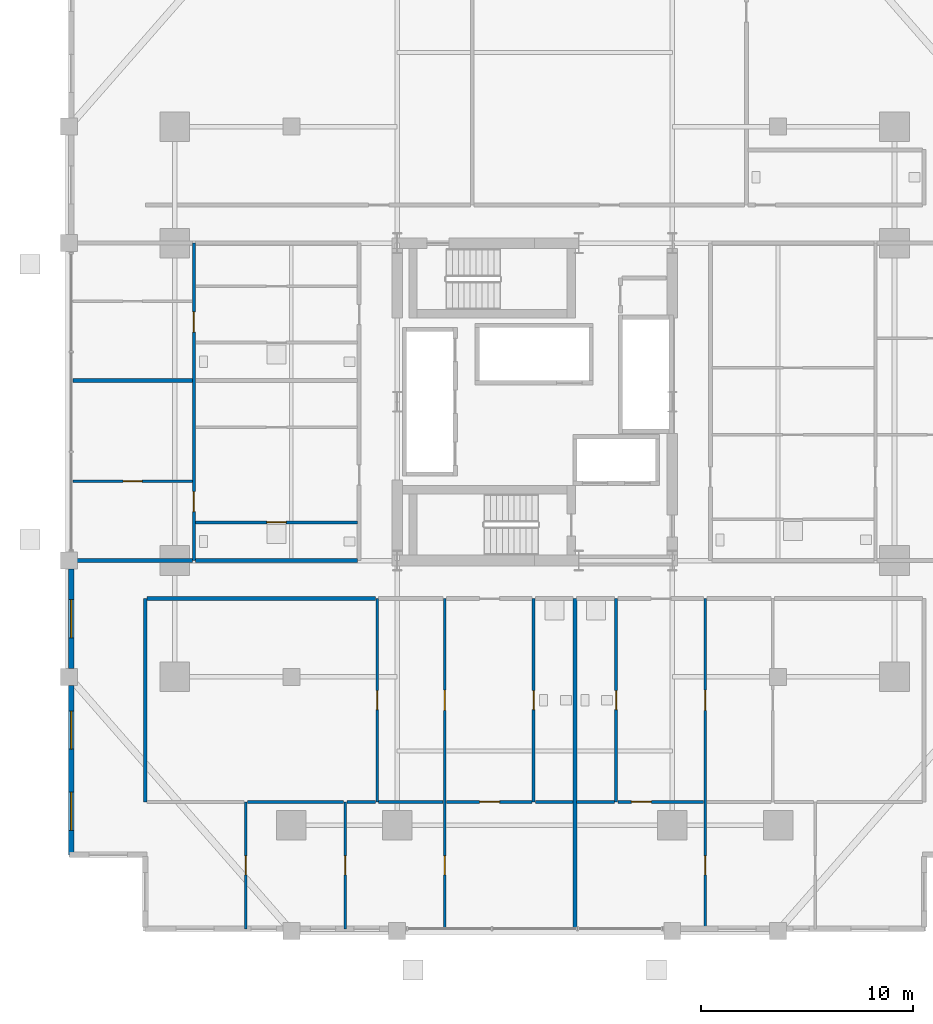
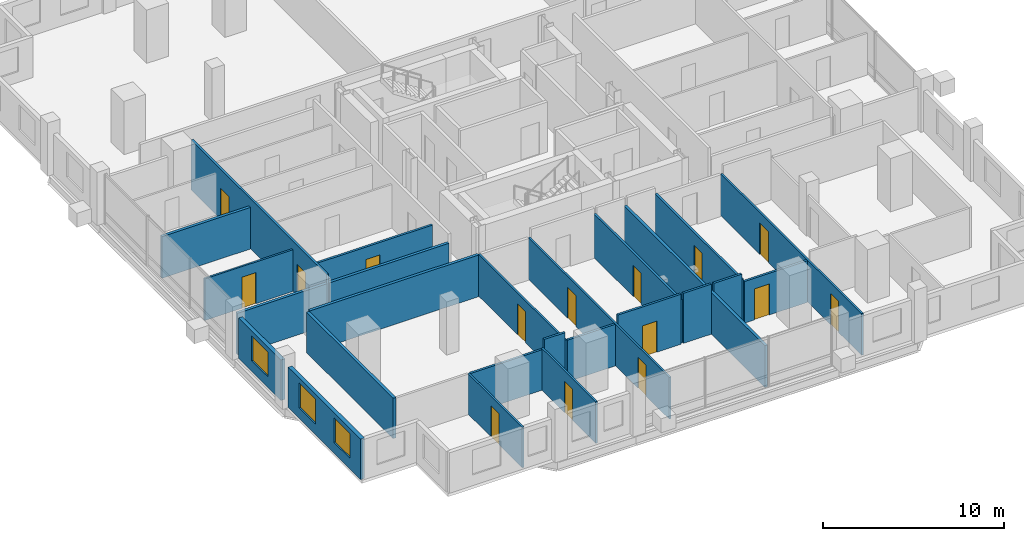
# One storey, part 17 of 23: 25 walls, 15 doors, 3 windows, 18 openings.
"""IFC4 building model written with IfcOpenShell, lengths in metres."""

from ifc_helpers import new_model, si_unit, direction, frame, frame_2d, origin, place, context, subcontext, project, spatial, rectangle, extrude, material, layer, layer_set, type_object, element, fill, save


model = new_model("IFC4")

# Units and contexts
model_context = context("Model", 3, precision=1e-05, world=origin(), true_north=direction((0.0, 1.0)))
body_context = subcontext(model_context, "Body", "Model", "MODEL_VIEW")
ifc_project = project(units=[si_unit("LENGTHUNIT", "METRE"), si_unit("AREAUNIT", "SQUARE_METRE"), si_unit("VOLUMEUNIT", "CUBIC_METRE"), si_unit("PLANEANGLEUNIT", "RADIAN"), si_unit("MASSUNIT", "GRAM", prefix="KILO")], contexts=[model_context])

# Site, building, storey
site_placement = place(None, origin())
site = spatial("IfcSite", under=ifc_project, at=site_placement, CompositionType="ELEMENT")
building_placement = place(site_placement, origin())
building = spatial("IfcBuilding", under=site, at=building_placement, Name="Barlavira Tower and Art Museum", CompositionType="ELEMENT")
storey_placement = place(building_placement, frame((0.0, 0.0, 54.0)))
storey = spatial("IfcBuildingStorey", under=building, at=storey_placement, Name="L12", CompositionType="ELEMENT", Elevation=54.0)

# Wall, opening, door
ifc_material_1 = material(Name="Gypsum acoustic stud partition", Category="gypsum")
ifc_layer_1 = layer(ifc_material_1, 0.1201171875, Name="Gypsum acoustic stud partition")
ifc_layer_set_1 = layer_set([ifc_layer_1], Name="Gypsum acoustic stud partition")
wall_type_1 = type_object("IfcWallType", Name="Apartment Internal Acoustic Partition 120", PredefinedType="PARTITIONING", material=ifc_layer_set_1)
wall_1_placement = place(storey_placement, frame((-13.64990234375, -24.89990234375, 0.0), z_axis=(0.0, 0.0, 1.0), x_axis=(0.0, 1.0, 0.0)))
wall_1 = element("IfcWall", 1, at=wall_1_placement, inside=storey, type_object=wall_type_1, Name="L12 Partition Wall 3", PredefinedType="PARTITIONING", context=body_context, shape_type="SweptSolid", body=[
    extrude(rectangle(XDim=6.0, YDim=0.1201171875, at=frame_2d((3.0, 0.0))), origin(), (0.0, 0.0, 1.0), 2.736083984375),
])
opening_1_placement = place(wall_1_placement, frame((2.550048828125, 0.0, 0.0)))
opening_1 = element("IfcOpeningElement", 2, at=opening_1_placement, cuts=wall_1, Name="Opening D-01", PredefinedType="OPENING", context=body_context, shape_type="SweptSolid", body=[
    extrude(rectangle(XDim=0.89990234375, YDim=2.10009765625, at=frame_2d((0.449951171875, 1.050048828125))), frame((0.0, 0.070068359375, 0.0), z_axis=(0.0, -1.0, 0.0), x_axis=(1.0, 0.0, 0.0)), (0.0, 0.0, 1.0), 0.14013671875),
])
ifc_material_2 = material(Name="Engineered coastal hardwood", Category="wood")
door_type_1 = type_object("IfcDoorType", Name="Internal Bedroom Timber Flush Door 900x2100", OperationType="NOTDEFINED", PredefinedType="DOOR", material=ifc_material_2)
door_1_placement = place(opening_1_placement, origin())
door_1 = element("IfcDoor", 3, at=door_1_placement, inside=storey, type_object=door_type_1, Name="Apartment S1 Bedroom 3 Door", OperationType="SINGLE_SWING_RIGHT", OverallHeight=2.10009765625, OverallWidth=0.89990234375, PredefinedType="DOOR", context=body_context, shape_type="SweptSolid", body=[
    extrude(rectangle(XDim=0.89990234375, YDim=2.10009765625, at=frame_2d((0.449951171875, 1.050048828125))), frame((0.0, 0.02490234375, 0.0), z_axis=(0.0, -1.0, 0.0), x_axis=(1.0, 0.0, 0.0)), (0.0, 0.0, 1.0), 0.050048828125),
])
fill(opening_1, door_1)

wall_2_placement = place(storey_placement, frame((-8.949951171875, -24.89990234375, 0.0), z_axis=(0.0, 0.0, 1.0), x_axis=(0.0, 1.0, 0.0)))
wall_2 = element("IfcWall", 4, at=wall_2_placement, inside=storey, type_object=wall_type_1, Name="L12 Partition Wall 4", PredefinedType="PARTITIONING", context=body_context, shape_type="SweptSolid", body=[
    extrude(rectangle(XDim=6.0, YDim=0.1201171875, at=frame_2d((3.0, 0.0))), origin(), (0.0, 0.0, 1.0), 2.81591796875),
])
opening_2_placement = place(wall_2_placement, frame((2.550048828125, 0.0, 0.0)))
opening_2 = element("IfcOpeningElement", 5, at=opening_2_placement, cuts=wall_2, Name="Opening D-01", PredefinedType="OPENING", context=body_context, shape_type="SweptSolid", body=[
    extrude(rectangle(XDim=0.89990234375, YDim=2.10009765625, at=frame_2d((0.449951171875, 1.050048828125))), frame((0.0, 0.070068359375, 0.0), z_axis=(0.0, -1.0, 0.0), x_axis=(1.0, 0.0, 0.0)), (0.0, 0.0, 1.0), 0.14013671875),
])
door_2_placement = place(opening_2_placement, origin())
door_2 = element("IfcDoor", 6, at=door_2_placement, inside=storey, type_object=door_type_1, Name="Apartment S1 Bedroom 2 Door", OperationType="SINGLE_SWING_LEFT", OverallHeight=2.10009765625, OverallWidth=0.89990234375, PredefinedType="DOOR", context=body_context, shape_type="SweptSolid", body=[
    extrude(rectangle(XDim=0.89990234375, YDim=2.10009765625, at=frame_2d((0.449951171875, 1.050048828125))), frame((0.0, 0.02490234375, 0.0), z_axis=(0.0, -1.0, 0.0), x_axis=(1.0, 0.0, 0.0)), (0.0, 0.0, 1.0), 0.050048828125),
])
fill(opening_2, door_2)

wall_3_placement = place(storey_placement, frame((-7.449951171875, -18.89990234375, 0.0), z_axis=(0.0, 0.0, 1.0), x_axis=(0.0, 1.0, 0.0)))
wall_3 = element("IfcWall", 7, at=wall_3_placement, inside=storey, type_object=wall_type_1, Name="L12 Partition Wall 6", PredefinedType="PARTITIONING", context=body_context, shape_type="SweptSolid", body=[
    extrude(rectangle(XDim=9.599853515625, YDim=0.1201171875, at=frame_2d((4.7998046875, 0.0))), origin(), (0.0, 0.0, 1.0), 2.81591796875),
])
opening_3_placement = place(wall_3_placement, frame((4.35009765625, 0.0, 0.0)))
opening_3 = element("IfcOpeningElement", 8, at=opening_3_placement, cuts=wall_3, Name="Opening D-01", PredefinedType="OPENING", context=body_context, shape_type="SweptSolid", body=[
    extrude(rectangle(XDim=0.89990234375, YDim=2.10009765625, at=frame_2d((0.449951171875, 1.050048828125))), frame((0.0, 0.070068359375, 0.0), z_axis=(0.0, -1.0, 0.0), x_axis=(1.0, 0.0, 0.0)), (0.0, 0.0, 1.0), 0.14013671875),
])
door_3_placement = place(opening_3_placement, origin())
door_3 = element("IfcDoor", 9, at=door_3_placement, inside=storey, type_object=door_type_1, Name="Apartment S1 Walk-In Dressing Room Door", OperationType="SINGLE_SWING_RIGHT", OverallHeight=2.10009765625, OverallWidth=0.89990234375, PredefinedType="DOOR", context=body_context, shape_type="SweptSolid", body=[
    extrude(rectangle(XDim=0.89990234375, YDim=2.10009765625, at=frame_2d((0.449951171875, 1.050048828125))), frame((0.0, 0.02490234375, 0.0), z_axis=(0.0, -1.0, 0.0), x_axis=(1.0, 0.0, 0.0)), (0.0, 0.0, 1.0), 0.050048828125),
])
fill(opening_3, door_3)

# Wall, openings, doors
wall_4_placement = place(storey_placement, frame((-4.25, -24.89990234375, 0.0), z_axis=(0.0, 0.0, 1.0), x_axis=(0.0, 1.0, 0.0)))
wall_4 = element("IfcWall", 10, at=wall_4_placement, inside=storey, type_object=wall_type_1, Name="L12 Partition Wall 7", PredefinedType="PARTITIONING", context=body_context, shape_type="SweptSolid", body=[
    extrude(rectangle(XDim=15.599853515625, YDim=0.1201171875, at=frame_2d((7.7998046875, 0.0))), origin(), (0.0, 0.0, 1.0), 2.81591796875),
])
opening_4_placement = place(wall_4_placement, frame((10.324951171875, 0.0, 0.0)))
opening_4 = element("IfcOpeningElement", 11, at=opening_4_placement, cuts=wall_4, Name="Opening D-02", PredefinedType="OPENING", context=body_context, shape_type="SweptSolid", body=[
    extrude(rectangle(XDim=0.949951171875, YDim=2.10009765625, at=frame_2d((0.47509765625, 1.050048828125))), frame((0.0, 0.070068359375, 0.0), z_axis=(0.0, -1.0, 0.0), x_axis=(1.0, 0.0, 0.0)), (0.0, 0.0, 1.0), 0.14013671875),
])
opening_5_placement = place(wall_4_placement, frame((2.550048828125, 0.0, 0.0)))
opening_5 = element("IfcOpeningElement", 12, at=opening_5_placement, cuts=wall_4, Name="Opening D-01", PredefinedType="OPENING", context=body_context, shape_type="SweptSolid", body=[
    extrude(rectangle(XDim=0.89990234375, YDim=2.10009765625, at=frame_2d((0.449951171875, 1.050048828125))), frame((0.0, 0.070068359375, 0.0), z_axis=(0.0, -1.0, 0.0), x_axis=(1.0, 0.0, 0.0)), (0.0, 0.0, 1.0), 0.14013671875),
])
door_4_placement = place(opening_5_placement, origin())
door_4 = element("IfcDoor", 13, at=door_4_placement, inside=storey, type_object=door_type_1, Name="Apartment S1 Bedroom 1 Door", OperationType="SINGLE_SWING_RIGHT", OverallHeight=2.10009765625, OverallWidth=0.89990234375, PredefinedType="DOOR", context=body_context, shape_type="SweptSolid", body=[
    extrude(rectangle(XDim=0.89990234375, YDim=2.10009765625, at=frame_2d((0.449951171875, 1.050048828125))), frame((0.0, 0.02490234375, 0.0), z_axis=(0.0, -1.0, 0.0), x_axis=(1.0, 0.0, 0.0)), (0.0, 0.0, 1.0), 0.050048828125),
])
fill(opening_5, door_4)
door_type_2 = type_object("IfcDoorType", Name="Living and Salon Glazed-Leaf Door 950x2100", OperationType="NOTDEFINED", PredefinedType="DOOR", material=ifc_material_2)
door_5_placement = place(opening_4_placement, origin())
door_5 = element("IfcDoor", 14, at=door_5_placement, inside=storey, type_object=door_type_2, Name="Apartment S1 Kitchen Door", OperationType="SINGLE_SWING_LEFT", OverallHeight=2.10009765625, OverallWidth=0.949951171875, PredefinedType="DOOR", context=body_context, shape_type="SweptSolid", body=[
    extrude(rectangle(XDim=0.949951171875, YDim=2.10009765625, at=frame_2d((0.47509765625, 1.050048828125))), frame((0.0, 0.02490234375, 0.0), z_axis=(0.0, -1.0, 0.0), x_axis=(1.0, 0.0, 0.0)), (0.0, 0.0, 1.0), 0.050048828125),
])
fill(opening_4, door_5)

wall_5_placement = place(storey_placement, frame((8.050048828125, -24.89990234375, 0.0), z_axis=(0.0, 0.0, 1.0), x_axis=(0.0, 1.0, 0.0)))
wall_5 = element("IfcWall", 15, at=wall_5_placement, inside=storey, type_object=wall_type_1, Name="L12 Partition Wall 13", PredefinedType="PARTITIONING", context=body_context, shape_type="SweptSolid", body=[
    extrude(rectangle(XDim=15.599853515625, YDim=0.1201171875, at=frame_2d((7.7998046875, 0.0))), origin(), (0.0, 0.0, 1.0), 2.81591796875),
])
opening_6_placement = place(wall_5_placement, frame((10.324951171875, 0.0, 0.0)))
opening_6 = element("IfcOpeningElement", 16, at=opening_6_placement, cuts=wall_5, Name="Opening D-02", PredefinedType="OPENING", context=body_context, shape_type="SweptSolid", body=[
    extrude(rectangle(XDim=0.949951171875, YDim=2.10009765625, at=frame_2d((0.47509765625, 1.050048828125))), frame((0.0, 0.070068359375, 0.0), z_axis=(0.0, -1.0, 0.0), x_axis=(1.0, 0.0, 0.0)), (0.0, 0.0, 1.0), 0.14013671875),
])
opening_7_placement = place(wall_5_placement, frame((2.550048828125, 0.0, 0.0)))
opening_7 = element("IfcOpeningElement", 17, at=opening_7_placement, cuts=wall_5, Name="Opening D-01", PredefinedType="OPENING", context=body_context, shape_type="SweptSolid", body=[
    extrude(rectangle(XDim=0.89990234375, YDim=2.10009765625, at=frame_2d((0.449951171875, 1.050048828125))), frame((0.0, 0.070068359375, 0.0), z_axis=(0.0, -1.0, 0.0), x_axis=(1.0, 0.0, 0.0)), (0.0, 0.0, 1.0), 0.14013671875),
])
door_6_placement = place(opening_7_placement, origin())
door_6 = element("IfcDoor", 18, at=door_6_placement, inside=storey, type_object=door_type_1, Name="Apartment S2 Bedroom 1 Door", OperationType="SINGLE_SWING_RIGHT", OverallHeight=2.10009765625, OverallWidth=0.89990234375, PredefinedType="DOOR", context=body_context, shape_type="SweptSolid", body=[
    extrude(rectangle(XDim=0.89990234375, YDim=2.10009765625, at=frame_2d((0.449951171875, 1.050048828125))), frame((0.0, 0.02490234375, 0.0), z_axis=(0.0, -1.0, 0.0), x_axis=(1.0, 0.0, 0.0)), (0.0, 0.0, 1.0), 0.050048828125),
])
fill(opening_7, door_6)
door_7_placement = place(opening_6_placement, origin())
door_7 = element("IfcDoor", 19, at=door_7_placement, inside=storey, type_object=door_type_2, Name="Apartment S2 Kitchen Door", OperationType="SINGLE_SWING_LEFT", OverallHeight=2.10009765625, OverallWidth=0.949951171875, PredefinedType="DOOR", context=body_context, shape_type="SweptSolid", body=[
    extrude(rectangle(XDim=0.949951171875, YDim=2.10009765625, at=frame_2d((0.47509765625, 1.050048828125))), frame((0.0, 0.02490234375, 0.0), z_axis=(0.0, -1.0, 0.0), x_axis=(1.0, 0.0, 0.0)), (0.0, 0.0, 1.0), 0.050048828125),
])
fill(opening_6, door_7)

# Wall, opening, door
wall_6_placement = place(storey_placement, frame((-21.820068359375, -3.75, 0.0), z_axis=(0.0, 0.0, 1.0), x_axis=(1.0, 0.0, 0.0)))
wall_6 = element("IfcWall", 20, at=wall_6_placement, inside=storey, type_object=wall_type_1, Name="L12 Partition Wall 46", PredefinedType="PARTITIONING", context=body_context, shape_type="SweptSolid", body=[
    extrude(rectangle(XDim=5.64013671875, YDim=0.1201171875, at=frame_2d((2.820068359375, 0.0))), origin(), (0.0, 0.0, 1.0), 2.81591796875),
])
opening_8_placement = place(wall_6_placement, frame((2.3701171875, 0.0, 0.0)))
opening_8 = element("IfcOpeningElement", 21, at=opening_8_placement, cuts=wall_6, Name="Opening D-01", PredefinedType="OPENING", context=body_context, shape_type="SweptSolid", body=[
    extrude(rectangle(XDim=0.89990234375, YDim=2.10009765625, at=frame_2d((0.449951171875, 1.050048828125))), frame((0.0, 0.070068359375, 0.0), z_axis=(0.0, -1.0, 0.0), x_axis=(1.0, 0.0, 0.0)), (0.0, 0.0, 1.0), 0.14013671875),
])
door_8_placement = place(opening_8_placement, origin())
door_8 = element("IfcDoor", 22, at=door_8_placement, inside=storey, type_object=door_type_1, Name="Apartment W1 Bedroom 1 Door", OperationType="SINGLE_SWING_RIGHT", OverallHeight=2.10009765625, OverallWidth=0.89990234375, PredefinedType="DOOR", context=body_context, shape_type="SweptSolid", body=[
    extrude(rectangle(XDim=0.89990234375, YDim=2.10009765625, at=frame_2d((0.449951171875, 1.050048828125))), frame((0.0, 0.02490234375, 0.0), z_axis=(0.0, -1.0, 0.0), x_axis=(1.0, 0.0, 0.0)), (0.0, 0.0, 1.0), 0.050048828125),
])
fill(opening_8, door_8)

# Walls
ifc_layer_2 = layer(ifc_material_1, 0.179931640625, Name="Gypsum acoustic stud partition")
ifc_layer_set_2 = layer_set([ifc_layer_2], Name="Gypsum acoustic stud partition")
wall_type_2 = type_object("IfcWallType", Name="Inter-Tenancy Party Partition Wall 180", PredefinedType="PARTITIONING", material=ifc_layer_set_2)
wall_7_placement = place(storey_placement, frame((-18.39990234375, -18.89990234375, 0.0), z_axis=(0.0, 0.0, 1.0), x_axis=(0.0, 1.0, 0.0)))
element("IfcWall", 23, at=wall_7_placement, inside=storey, type_object=wall_type_2, Name="L12 Partition Wall 1", PredefinedType="PARTITIONING", context=body_context, shape_type="SweptSolid", body=[
    extrude(rectangle(XDim=9.599853515625, YDim=0.179931640625, at=frame_2d((4.7998046875, 0.0))), origin(), (0.0, 0.0, 1.0), 2.736083984375),
])
wall_8_placement = place(storey_placement, frame((1.89990234375, -24.89990234375, 0.0), z_axis=(0.0, 0.0, 1.0), x_axis=(0.0, 1.0, 0.0)))
element("IfcWall", 24, at=wall_8_placement, inside=storey, type_object=wall_type_2, Name="L12 Partition Wall 10", PredefinedType="PARTITIONING", context=body_context, shape_type="SweptSolid", body=[
    extrude(rectangle(XDim=15.599853515625, YDim=0.179931640625, at=frame_2d((7.7998046875, 0.0))), origin(), (0.0, 0.0, 1.0), 2.81591796875),
])
wall_9_placement = place(storey_placement, frame((-18.320068359375, -9.300048828125, 0.0), z_axis=(0.0, 0.0, 1.0), x_axis=(1.0, 0.0, 0.0)))
element("IfcWall", 25, at=wall_9_placement, inside=storey, type_object=wall_type_2, Name="L12 Partition Wall 32", PredefinedType="PARTITIONING", context=body_context, shape_type="SweptSolid", body=[
    extrude(rectangle(XDim=10.7900390625, YDim=0.179931640625, at=frame_2d((5.39501953125, 0.0))), origin(), (0.0, 0.0, 1.0), 2.81591796875),
])
wall_10_placement = place(storey_placement, frame((-21.89990234375, -7.5, 0.0), z_axis=(0.0, 0.0, 1.0), x_axis=(1.0, 0.0, 0.0)))
element("IfcWall", 26, at=wall_10_placement, inside=storey, type_object=wall_type_2, Name="L12 Partition Wall 40", PredefinedType="PARTITIONING", context=body_context, shape_type="SweptSolid", body=[
    extrude(rectangle(XDim=5.719970703125, YDim=0.179931640625, at=frame_2d((2.85986328125, 0.0))), origin(), (0.0, 0.0, 1.0), 2.81591796875),
])
wall_11_placement = place(storey_placement, frame((-16.02001953125, -7.5, 0.0), z_axis=(0.0, 0.0, 1.0), x_axis=(1.0, 0.0, 0.0)))
element("IfcWall", 27, at=wall_11_placement, inside=storey, type_object=wall_type_2, Name="L12 Partition Wall 41", PredefinedType="PARTITIONING", context=body_context, shape_type="SweptSolid", body=[
    extrude(rectangle(XDim=7.64013671875, YDim=0.179931640625, at=frame_2d((3.820068359375, 0.0))), origin(), (0.0, 0.0, 1.0), 2.81591796875),
])
wall_12_placement = place(storey_placement, frame((-21.820068359375, 1.0, 0.0), z_axis=(0.0, 0.0, 1.0), x_axis=(1.0, 0.0, 0.0)))
element("IfcWall", 28, at=wall_12_placement, inside=storey, type_object=wall_type_2, Name="L12 Partition Wall 50", PredefinedType="PARTITIONING", context=body_context, shape_type="SweptSolid", body=[
    extrude(rectangle(XDim=5.64013671875, YDim=0.179931640625, at=frame_2d((2.820068359375, 0.0))), origin(), (0.0, 0.0, 1.0), 2.81591796875),
])

# Wall, openings, doors
ifc_layer_3 = layer(ifc_material_1, 0.139892578125, Name="Gypsum acoustic stud partition")
ifc_layer_set_3 = layer_set([ifc_layer_3], Name="Gypsum acoustic stud partition")
wall_type_3 = type_object("IfcWallType", Name="Moisture-Resistant Bathroom Partition 140", PredefinedType="PARTITIONING", material=ifc_layer_set_3)
wall_13_placement = place(storey_placement, frame((-16.10009765625, -7.5, 0.0), z_axis=(0.0, 0.0, 1.0), x_axis=(0.0, 1.0, 0.0)))
wall_13 = element("IfcWall", 29, at=wall_13_placement, inside=storey, type_object=wall_type_3, Name="L12 Partition Wall 2", PredefinedType="PARTITIONING", context=body_context, shape_type="SweptSolid", body=[
    extrude(rectangle(XDim=15.0, YDim=0.139892578125, at=frame_2d((7.5, 0.0))), origin(), (0.0, 0.0, 1.0), 3.3798828125),
])
opening_9_placement = place(wall_13_placement, frame((2.304931640625, 0.0, 0.0)))
opening_9 = element("IfcOpeningElement", 30, at=opening_9_placement, cuts=wall_13, Name="Opening D-02", PredefinedType="OPENING", context=body_context, shape_type="SweptSolid", body=[
    extrude(rectangle(XDim=0.949951171875, YDim=2.10009765625, at=frame_2d((0.47509765625, 1.050048828125))), frame((0.0, 0.080078125, 0.0), z_axis=(0.0, -1.0, 0.0), x_axis=(1.0, 0.0, 0.0)), (0.0, 0.0, 1.0), 0.159912109375),
])
opening_10_placement = place(wall_13_placement, frame((10.794921875, 0.0, 0.0)))
opening_10 = element("IfcOpeningElement", 31, at=opening_10_placement, cuts=wall_13, Name="Opening D-02", PredefinedType="OPENING", context=body_context, shape_type="SweptSolid", body=[
    extrude(rectangle(XDim=0.949951171875, YDim=2.10009765625, at=frame_2d((0.47509765625, 1.050048828125))), frame((0.0, 0.080078125, 0.0), z_axis=(0.0, -1.0, 0.0), x_axis=(1.0, 0.0, 0.0)), (0.0, 0.0, 1.0), 0.159912109375),
])
door_9_placement = place(opening_9_placement, origin())
door_9 = element("IfcDoor", 32, at=door_9_placement, inside=storey, type_object=door_type_2, Name="Apartment W1 Living Lounge Door", OperationType="SINGLE_SWING_LEFT", OverallHeight=2.10009765625, OverallWidth=0.949951171875, PredefinedType="DOOR", context=body_context, shape_type="SweptSolid", body=[
    extrude(rectangle(XDim=0.949951171875, YDim=2.10009765625, at=frame_2d((0.47509765625, 1.050048828125))), frame((0.0, 0.02490234375, 0.0), z_axis=(0.0, -1.0, 0.0), x_axis=(1.0, 0.0, 0.0)), (0.0, 0.0, 1.0), 0.050048828125),
])
fill(opening_9, door_9)
door_10_placement = place(opening_10_placement, origin())
door_10 = element("IfcDoor", 33, at=door_10_placement, inside=storey, type_object=door_type_2, Name="Apartment W2 Living Lounge Door", OperationType="SINGLE_SWING_RIGHT", OverallHeight=2.10009765625, OverallWidth=0.949951171875, PredefinedType="DOOR", context=body_context, shape_type="SweptSolid", body=[
    extrude(rectangle(XDim=0.949951171875, YDim=2.10009765625, at=frame_2d((0.47509765625, 1.050048828125))), frame((0.0, 0.02490234375, 0.0), z_axis=(0.0, -1.0, 0.0), x_axis=(1.0, 0.0, 0.0)), (0.0, 0.0, 1.0), 0.050048828125),
])
fill(opening_10, door_10)

# Wall, opening, door
wall_14_placement = place(storey_placement, frame((-0.050048828125, -18.89990234375, 0.0), z_axis=(0.0, 0.0, 1.0), x_axis=(0.0, 1.0, 0.0)))
wall_14 = element("IfcWall", 34, at=wall_14_placement, inside=storey, type_object=wall_type_3, Name="L12 Partition Wall 9", PredefinedType="PARTITIONING", context=body_context, shape_type="SweptSolid", body=[
    extrude(rectangle(XDim=9.599853515625, YDim=0.139892578125, at=frame_2d((4.7998046875, 0.0))), origin(), (0.0, 0.0, 1.0), 2.947998046875),
])
opening_11_placement = place(wall_14_placement, frame((4.35009765625, 0.0, 0.0)))
opening_11 = element("IfcOpeningElement", 35, at=opening_11_placement, cuts=wall_14, Name="Opening D-WC", PredefinedType="OPENING", context=body_context, shape_type="SweptSolid", body=[
    extrude(rectangle(XDim=0.89990234375, YDim=2.10009765625, at=frame_2d((0.449951171875, 1.050048828125))), frame((0.0, 0.080078125, 0.0), z_axis=(0.0, -1.0, 0.0), x_axis=(1.0, 0.0, 0.0)), (0.0, 0.0, 1.0), 0.159912109375),
])
door_type_3 = type_object("IfcDoorType", Name="Accessible Bathroom Flush Door 900x2100", OperationType="NOTDEFINED", PredefinedType="DOOR", material=ifc_material_2)
door_11_placement = place(opening_11_placement, origin())
door_11 = element("IfcDoor", 36, at=door_11_placement, inside=storey, type_object=door_type_3, Name="Apartment S1 Hall Bathroom Door", OperationType="SINGLE_SWING_LEFT", OverallHeight=2.10009765625, OverallWidth=0.89990234375, PredefinedType="DOOR", context=body_context, shape_type="SweptSolid", body=[
    extrude(rectangle(XDim=0.89990234375, YDim=2.10009765625, at=frame_2d((0.449951171875, 1.050048828125))), frame((0.0, 0.02490234375, 0.0), z_axis=(0.0, -1.0, 0.0), x_axis=(1.0, 0.0, 0.0)), (0.0, 0.0, 1.0), 0.050048828125),
])
fill(opening_11, door_11)

wall_15_placement = place(storey_placement, frame((3.85009765625, -18.89990234375, 0.0), z_axis=(0.0, 0.0, 1.0), x_axis=(0.0, 1.0, 0.0)))
wall_15 = element("IfcWall", 37, at=wall_15_placement, inside=storey, type_object=wall_type_3, Name="L12 Partition Wall 11", PredefinedType="PARTITIONING", context=body_context, shape_type="SweptSolid", body=[
    extrude(rectangle(XDim=9.599853515625, YDim=0.139892578125, at=frame_2d((4.7998046875, 0.0))), origin(), (0.0, 0.0, 1.0), 2.947998046875),
])
opening_12_placement = place(wall_15_placement, frame((4.35009765625, 0.0, 0.0)))
opening_12 = element("IfcOpeningElement", 38, at=opening_12_placement, cuts=wall_15, Name="Opening D-WC", PredefinedType="OPENING", context=body_context, shape_type="SweptSolid", body=[
    extrude(rectangle(XDim=0.89990234375, YDim=2.10009765625, at=frame_2d((0.449951171875, 1.050048828125))), frame((0.0, 0.080078125, 0.0), z_axis=(0.0, -1.0, 0.0), x_axis=(1.0, 0.0, 0.0)), (0.0, 0.0, 1.0), 0.159912109375),
])
door_12_placement = place(opening_12_placement, origin())
door_12 = element("IfcDoor", 39, at=door_12_placement, inside=storey, type_object=door_type_3, Name="Apartment S2 Hall Bathroom Door", OperationType="SINGLE_SWING_LEFT", OverallHeight=2.10009765625, OverallWidth=0.89990234375, PredefinedType="DOOR", context=body_context, shape_type="SweptSolid", body=[
    extrude(rectangle(XDim=0.89990234375, YDim=2.10009765625, at=frame_2d((0.449951171875, 1.050048828125))), frame((0.0, 0.02490234375, 0.0), z_axis=(0.0, -1.0, 0.0), x_axis=(1.0, 0.0, 0.0)), (0.0, 0.0, 1.0), 0.050048828125),
])
fill(opening_12, door_12)

# Walls
wall_16_placement = place(storey_placement, frame((-13.570068359375, -18.89990234375, 0.0), z_axis=(0.0, 0.0, 1.0), x_axis=(1.0, 0.0, 0.0)))
element("IfcWall", 40, at=wall_16_placement, inside=storey, type_object=wall_type_3, Name="L12 Partition Wall 22", PredefinedType="PARTITIONING", context=body_context, shape_type="SweptSolid", body=[
    extrude(rectangle(XDim=4.5400390625, YDim=0.139892578125, at=frame_2d((2.27001953125, 0.0))), origin(), (0.0, 0.0, 1.0), 2.736083984375),
])
wall_17_placement = place(storey_placement, frame((-8.8701171875, -18.89990234375, 0.0), z_axis=(0.0, 0.0, 1.0), x_axis=(1.0, 0.0, 0.0)))
element("IfcWall", 41, at=wall_17_placement, inside=storey, type_object=wall_type_3, Name="L12 Partition Wall 23", PredefinedType="PARTITIONING", context=body_context, shape_type="SweptSolid", body=[
    extrude(rectangle(XDim=1.340087890625, YDim=0.139892578125, at=frame_2d((0.669921875, 0.0))), origin(), (0.0, 0.0, 1.0), 3.3798828125),
])
wall_18_placement = place(storey_placement, frame((-7.3701171875, -18.89990234375, 0.0), z_axis=(0.0, 0.0, 1.0), x_axis=(1.0, 0.0, 0.0)))
element("IfcWall", 42, at=wall_18_placement, inside=storey, type_object=wall_type_3, Name="L12 Partition Wall 24", PredefinedType="PARTITIONING", context=body_context, shape_type="SweptSolid", body=[
    extrude(rectangle(XDim=3.0400390625, YDim=0.139892578125, at=frame_2d((1.52001953125, 0.0))), origin(), (0.0, 0.0, 1.0), 2.81591796875),
])

# Wall, opening, door
wall_19_placement = place(storey_placement, frame((-4.169921875, -18.89990234375, 0.0), z_axis=(0.0, 0.0, 1.0), x_axis=(1.0, 0.0, 0.0)))
wall_19 = element("IfcWall", 43, at=wall_19_placement, inside=storey, type_object=wall_type_3, Name="L12 Partition Wall 25", PredefinedType="PARTITIONING", context=body_context, shape_type="SweptSolid", body=[
    extrude(rectangle(XDim=4.0400390625, YDim=0.139892578125, at=frame_2d((2.02001953125, 0.0))), origin(), (0.0, 0.0, 1.0), 3.3798828125),
])
opening_13_placement = place(wall_19_placement, frame((1.56494140625, 0.0, 0.0)))
opening_13 = element("IfcOpeningElement", 44, at=opening_13_placement, cuts=wall_19, Name="Opening D-02", PredefinedType="OPENING", context=body_context, shape_type="SweptSolid", body=[
    extrude(rectangle(XDim=0.949951171875, YDim=2.10009765625, at=frame_2d((0.47509765625, 1.050048828125))), frame((0.0, 0.080078125, 0.0), z_axis=(0.0, -1.0, 0.0), x_axis=(1.0, 0.0, 0.0)), (0.0, 0.0, 1.0), 0.159912109375),
])
door_13_placement = place(opening_13_placement, origin())
door_13 = element("IfcDoor", 45, at=door_13_placement, inside=storey, type_object=door_type_2, Name="Apartment S1 Living Lounge Door", OperationType="SINGLE_SWING_LEFT", OverallHeight=2.10009765625, OverallWidth=0.949951171875, PredefinedType="DOOR", context=body_context, shape_type="SweptSolid", body=[
    extrude(rectangle(XDim=0.949951171875, YDim=2.10009765625, at=frame_2d((0.47509765625, 1.050048828125))), frame((0.0, 0.02490234375, 0.0), z_axis=(0.0, -1.0, 0.0), x_axis=(1.0, 0.0, 0.0)), (0.0, 0.0, 1.0), 0.050048828125),
])
fill(opening_13, door_13)

# Walls
for number, where, z_axis, x_axis, name in (
    (46, (0.030029296875, -18.89990234375, 0.0), (0.0, 0.0, 1.0), (1.0, 0.0, 0.0), "L12 Partition Wall 26"),
    (47, (1.97998046875, -18.89990234375, 0.0), (0.0, 0.0, 1.0), (1.0, 0.0, 0.0), "L12 Partition Wall 27"),
):
    element("IfcWall", number, at=place(storey_placement, frame(where, z_axis=z_axis, x_axis=x_axis)), inside=storey, type_object=wall_type_3, Name=name, PredefinedType="PARTITIONING", context=body_context, shape_type="SweptSolid", body=[
        extrude(rectangle(XDim=1.7900390625, YDim=0.139892578125, at=frame_2d((0.89501953125, 0.0))), origin(), (0.0, 0.0, 1.0), 3.3798828125),
    ])

# Wall, opening, door
wall_20_placement = place(storey_placement, frame((3.929931640625, -18.89990234375, 0.0), z_axis=(0.0, 0.0, 1.0), x_axis=(1.0, 0.0, 0.0)))
wall_20 = element("IfcWall", 48, at=wall_20_placement, inside=storey, type_object=wall_type_3, Name="L12 Partition Wall 28", PredefinedType="PARTITIONING", context=body_context, shape_type="SweptSolid", body=[
    extrude(rectangle(XDim=4.0400390625, YDim=0.139892578125, at=frame_2d((2.02001953125, 0.0))), origin(), (0.0, 0.0, 1.0), 2.81591796875),
])
opening_14_placement = place(wall_20_placement, frame((0.63818359375, 0.0, 0.0)))
opening_14 = element("IfcOpeningElement", 49, at=opening_14_placement, cuts=wall_20, Name="Opening D-02", PredefinedType="OPENING", context=body_context, shape_type="SweptSolid", body=[
    extrude(rectangle(XDim=0.949951171875, YDim=2.10009765625, at=frame_2d((0.47509765625, 1.050048828125))), frame((0.0, 0.080078125, 0.0), z_axis=(0.0, -1.0, 0.0), x_axis=(1.0, 0.0, 0.0)), (0.0, 0.0, 1.0), 0.159912109375),
])
door_14_placement = place(opening_14_placement, origin())
door_14 = element("IfcDoor", 50, at=door_14_placement, inside=storey, type_object=door_type_2, Name="Apartment S2 Living Lounge Door", OperationType="SINGLE_SWING_LEFT", OverallHeight=2.10009765625, OverallWidth=0.949951171875, PredefinedType="DOOR", context=body_context, shape_type="SweptSolid", body=[
    extrude(rectangle(XDim=0.949951171875, YDim=2.10009765625, at=frame_2d((0.47509765625, 1.050048828125))), frame((0.0, 0.02490234375, 0.0), z_axis=(0.0, -1.0, 0.0), x_axis=(1.0, 0.0, 0.0)), (0.0, 0.0, 1.0), 0.050048828125),
])
fill(opening_14, door_14)

wall_21_placement = place(storey_placement, frame((-16.02001953125, -5.699951171875, 0.0), z_axis=(0.0, 0.0, 1.0), x_axis=(1.0, 0.0, 0.0)))
wall_21 = element("IfcWall", 51, at=wall_21_placement, inside=storey, type_object=wall_type_3, Name="L12 Partition Wall 44", PredefinedType="PARTITIONING", context=body_context, shape_type="SweptSolid", body=[
    extrude(rectangle(XDim=7.64013671875, YDim=0.139892578125, at=frame_2d((3.820068359375, 0.0))), origin(), (0.0, 0.0, 1.0), 2.947998046875),
])
opening_15_placement = place(wall_21_placement, frame((3.3701171875, 0.0, 0.0)))
opening_15 = element("IfcOpeningElement", 52, at=opening_15_placement, cuts=wall_21, Name="Opening D-WC", PredefinedType="OPENING", context=body_context, shape_type="SweptSolid", body=[
    extrude(rectangle(XDim=0.89990234375, YDim=2.10009765625, at=frame_2d((0.449951171875, 1.050048828125))), frame((0.0, 0.080078125, 0.0), z_axis=(0.0, -1.0, 0.0), x_axis=(1.0, 0.0, 0.0)), (0.0, 0.0, 1.0), 0.159912109375),
])
door_15_placement = place(opening_15_placement, origin())
door_15 = element("IfcDoor", 53, at=door_15_placement, inside=storey, type_object=door_type_3, Name="Apartment W1 Hall Bathroom Door", OperationType="SINGLE_SWING_RIGHT", OverallHeight=2.10009765625, OverallWidth=0.89990234375, PredefinedType="DOOR", context=body_context, shape_type="SweptSolid", body=[
    extrude(rectangle(XDim=0.89990234375, YDim=2.10009765625, at=frame_2d((0.449951171875, 1.050048828125))), frame((0.0, 0.02490234375, 0.0), z_axis=(0.0, -1.0, 0.0), x_axis=(1.0, 0.0, 0.0)), (0.0, 0.0, 1.0), 0.050048828125),
])
fill(opening_15, door_15)

# Wall, opening, window
ifc_material_3 = material(Name="Precast concrete C40", Category="concrete")
ifc_layer_4 = layer(ifc_material_3, 0.25, Name="Precast concrete C40")
ifc_layer_set_4 = layer_set([ifc_layer_4], Name="Precast concrete C40")
wall_type_4 = type_object("IfcWallType", Name="Notched Corner Spandrel Wall 250 Precast Concrete C40", PredefinedType="SOLIDWALL", material=ifc_layer_set_4)
wall_22_placement = place(storey_placement, frame((-21.89990234375, -7.89501953125, 0.0), z_axis=(0.0, 0.0, 1.0), x_axis=(0.0, -1.0, 0.0)))
wall_22 = element("IfcWall", 54, at=wall_22_placement, inside=storey, type_object=wall_type_4, Name="L12 Coastal Facade Pier Wall CW1-L12-W-4", PredefinedType="SOLIDWALL", context=body_context, shape_type="SweptSolid", body=[
    extrude(rectangle(XDim=4.7099609375, YDim=0.25, at=frame_2d((2.35498046875, 0.0))), origin(), (0.0, 0.0, 1.0), 2.736083984375),
])
opening_16_placement = place(wall_22_placement, frame((1.455078125, 0.0, 0.719970703125)))
opening_16 = element("IfcOpeningElement", 55, at=opening_16_placement, cuts=wall_22, Name="Opening WN-01", PredefinedType="OPENING", context=body_context, shape_type="SweptSolid", body=[
    extrude(rectangle(XDim=1.800048828125, YDim=1.679931640625, at=frame_2d((0.89990234375, 0.83984375))), frame((0.0, 0.135009765625, 0.0), z_axis=(0.0, -1.0, 0.0), x_axis=(1.0, 0.0, 0.0)), (0.0, 0.0, 1.0), 0.27001953125),
])
ifc_material_4 = material(Name="Low-iron coastal laminated glass", Category="glass")
window_type = type_object("IfcWindowType", Name="Recessed Notch Corner Punch Window 1800x1680", PartitioningType="SINGLE_PANEL", PredefinedType="WINDOW", material=ifc_material_4)
window_1_placement = place(opening_16_placement, origin())
window_1 = element("IfcWindow", 56, at=window_1_placement, inside=storey, type_object=window_type, Name="L12 Punched Facade Window EWP-CW1-L12-W-4-1", OverallHeight=1.679931640625, OverallWidth=1.800048828125, PartitioningType="SINGLE_PANEL", PredefinedType="WINDOW", context=body_context, shape_type="SweptSolid", body=[
    extrude(rectangle(XDim=1.800048828125, YDim=1.679931640625, at=frame_2d((0.89990234375, 0.83984375))), frame((0.0, 0.030029296875, 0.0), z_axis=(0.0, -1.0, 0.0), x_axis=(1.0, 0.0, 0.0)), (0.0, 0.0, 1.0), 0.06005859375),
])
fill(opening_16, window_1)

# Wall, openings, windows
wall_23_placement = place(storey_placement, frame((-21.89990234375, -13.39501953125, 0.0), z_axis=(0.0, 0.0, 1.0), x_axis=(0.0, -1.0, 0.0)))
wall_23 = element("IfcWall", 57, at=wall_23_placement, inside=storey, type_object=wall_type_4, Name="L12 Coastal Facade Pier Wall CW1-L12-W-5", PredefinedType="SOLIDWALL", context=body_context, shape_type="SweptSolid", body=[
    extrude(rectangle(XDim=8.030029296875, YDim=0.25, at=frame_2d((4.01513671875, 0.0))), origin(), (0.0, 0.0, 1.0), 2.736083984375),
])
opening_17_placement = place(wall_23_placement, frame((1.220947265625, 0.0, 0.719970703125)))
opening_17 = element("IfcOpeningElement", 58, at=opening_17_placement, cuts=wall_23, Name="Opening WN-01", PredefinedType="OPENING", context=body_context, shape_type="SweptSolid", body=[
    extrude(rectangle(XDim=1.800048828125, YDim=1.679931640625, at=frame_2d((0.89990234375, 0.83984375))), frame((0.0, 0.135009765625, 0.0), z_axis=(0.0, -1.0, 0.0), x_axis=(1.0, 0.0, 0.0)), (0.0, 0.0, 1.0), 0.27001953125),
])
opening_18_placement = place(wall_23_placement, frame((5.053955078125, 0.0, 0.719970703125)))
opening_18 = element("IfcOpeningElement", 59, at=opening_18_placement, cuts=wall_23, Name="Opening WN-01", PredefinedType="OPENING", context=body_context, shape_type="SweptSolid", body=[
    extrude(rectangle(XDim=1.800048828125, YDim=1.679931640625, at=frame_2d((0.89990234375, 0.83984375))), frame((0.0, 0.135009765625, 0.0), z_axis=(0.0, -1.0, 0.0), x_axis=(1.0, 0.0, 0.0)), (0.0, 0.0, 1.0), 0.27001953125),
])
window_2_placement = place(opening_17_placement, origin())
window_2 = element("IfcWindow", 60, at=window_2_placement, inside=storey, type_object=window_type, Name="L12 Punched Facade Window EWP-CW1-L12-W-5-1", OverallHeight=1.679931640625, OverallWidth=1.800048828125, PartitioningType="SINGLE_PANEL", PredefinedType="WINDOW", context=body_context, shape_type="SweptSolid", body=[
    extrude(rectangle(XDim=1.800048828125, YDim=1.679931640625, at=frame_2d((0.89990234375, 0.83984375))), frame((0.0, 0.030029296875, 0.0), z_axis=(0.0, -1.0, 0.0), x_axis=(1.0, 0.0, 0.0)), (0.0, 0.0, 1.0), 0.06005859375),
])
fill(opening_17, window_2)
window_3_placement = place(opening_18_placement, origin())
window_3 = element("IfcWindow", 61, at=window_3_placement, inside=storey, type_object=window_type, Name="L12 Punched Facade Window EWP-CW1-L12-W-5-2", OverallHeight=1.679931640625, OverallWidth=1.800048828125, PartitioningType="SINGLE_PANEL", PredefinedType="WINDOW", context=body_context, shape_type="SweptSolid", body=[
    extrude(rectangle(XDim=1.800048828125, YDim=1.679931640625, at=frame_2d((0.89990234375, 0.83984375))), frame((0.0, 0.030029296875, 0.0), z_axis=(0.0, -1.0, 0.0), x_axis=(1.0, 0.0, 0.0)), (0.0, 0.0, 1.0), 0.06005859375),
])
fill(opening_18, window_3)

save(model, "model.ifc")
